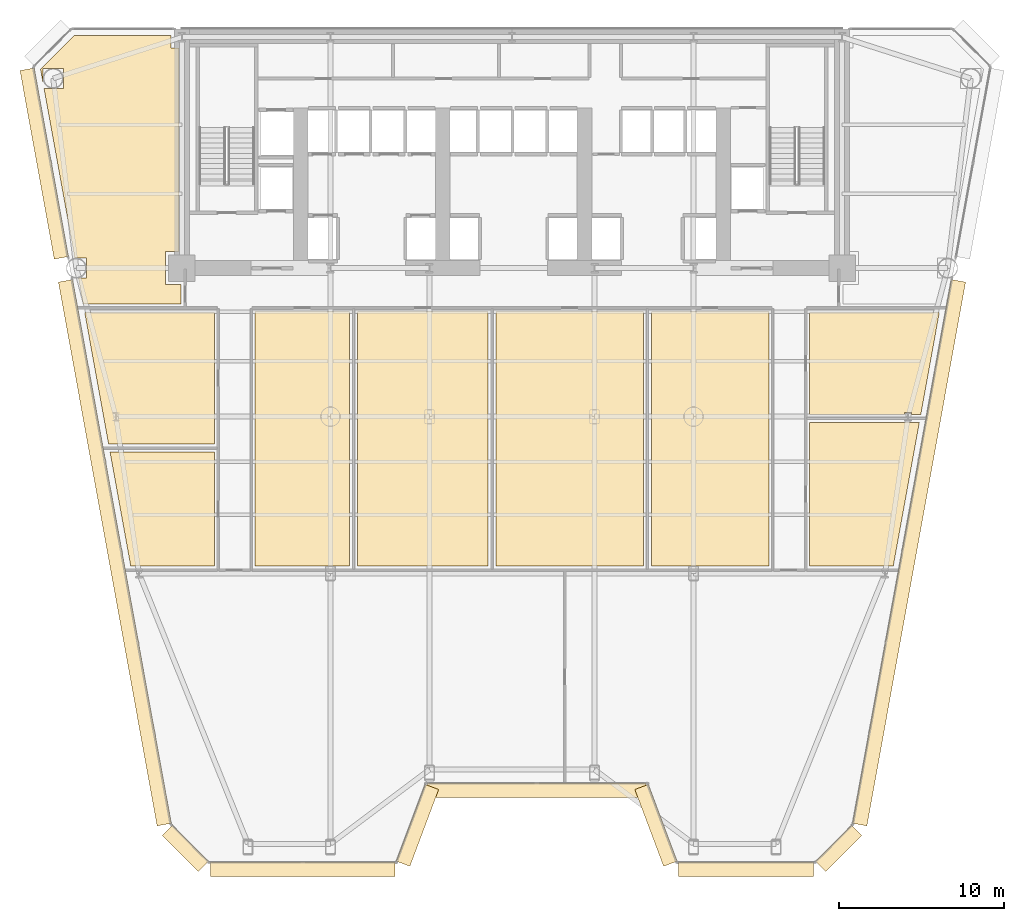
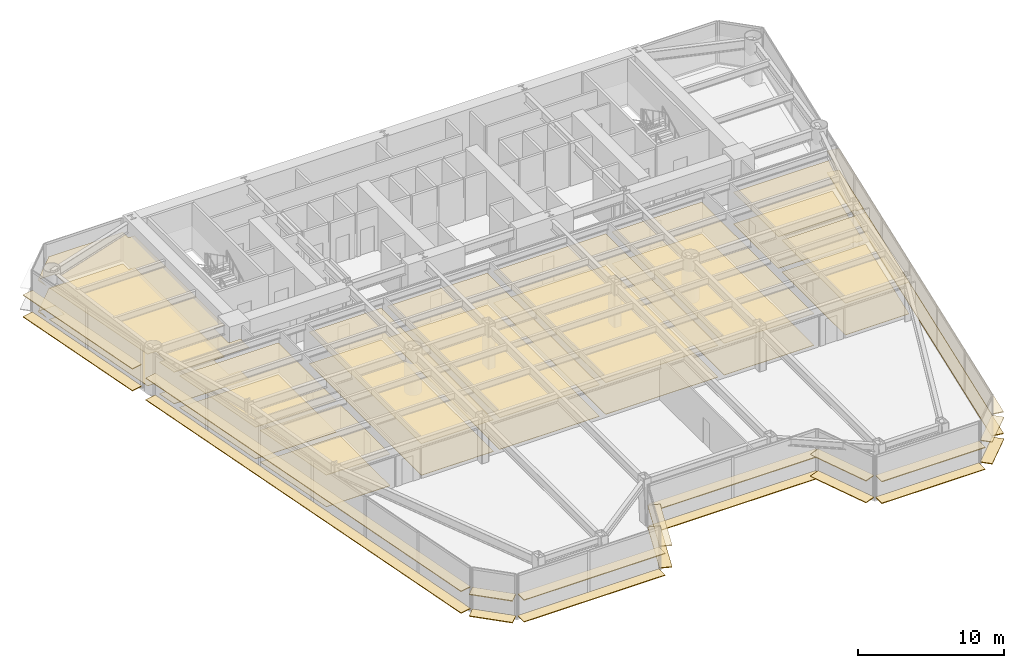
# One storey, part 11 of 14: 38 coverings.
"""IFC4 building model written with IfcOpenShell, lengths in metres."""

import ifcopenshell
import ifcopenshell.guid

model = None  # the IFC model being written
_history = None  # IfcOwnerHistory: only IFC2X3 demands one
_inside = {}  # id of a spatial element -> (the spatial element, [elements in it])
_under = {}  # id of a project, library or spatial element -> (it, [spatial elements below it])
_declared = {}  # id of a project -> (the project, [libraries it declares])
_typed = {}  # id of a type object -> (the type object, [elements of that type])
_made_of = {}  # id of a material, layer set ... -> (it, [elements and type objects made of it])


def new_model(schema):
    """Start an empty IFC model of exactly this schema.

    Asked for "IFC4X3", IfcOpenShell would pick the latest addendum, in which some entities
    have other attributes; the version numbers below select the first issue.
    IFC2X3 requires an IfcOwnerHistory on every rooted entity: one is made here for all.
    """
    global model, _history
    if schema == "IFC4X3":
        model = ifcopenshell.file(schema_version=(4, 3, 0, 0))
    else:
        model = ifcopenshell.file(schema=schema)
    _inside.clear()
    _under.clear()
    _declared.clear()
    _typed.clear()
    _made_of.clear()
    _history = None
    if model.schema == "IFC2X3":
        org = make("IfcOrganization", Name="unknown")
        user = make(
            "IfcPersonAndOrganization",
            ThePerson=make("IfcPerson", FamilyName="unknown"),
            TheOrganization=org,
        )
        app = make(
            "IfcApplication",
            ApplicationDeveloper=org,
            Version="unknown",
            ApplicationFullName="unknown",
            ApplicationIdentifier="unknown",
        )
        _history = make(
            "IfcOwnerHistory",
            OwningUser=user,
            OwningApplication=app,
            ChangeAction="ADDED",
            CreationDate=0,
        )
    return model


def make(cls, **values):
    """One entity of the class cls with the attributes given. An attribute that is None is left unset."""
    return model.create_entity(
        cls, **{name: value for name, value in values.items() if value is not None}
    )


def rooted(cls, **values):
    """An entity with a GlobalId (a new one), such as an element, a storey or a relation."""
    return make(cls, GlobalId=ifcopenshell.guid.new(), OwnerHistory=_history, **values)


def si_unit(unit_type, name, prefix=None):
    """IfcSIUnit, for example si_unit("LENGTHUNIT", "METRE", prefix="MILLI")."""
    return make("IfcSIUnit", UnitType=unit_type, Prefix=prefix, Name=name)


def assignment(units):
    """IfcUnitAssignment: the units of a project."""
    return None if units is None else make("IfcUnitAssignment", Units=units)


def point(xyz):
    """IfcCartesianPoint."""
    return None if xyz is None else make("IfcCartesianPoint", Coordinates=xyz)


def direction(xyz):
    """IfcDirection."""
    return None if xyz is None else make("IfcDirection", DirectionRatios=xyz)


def frame(location, z_axis=None, x_axis=None):
    """IfcAxis2Placement3D, a coordinate frame: its origin and axes. An axis left out is left unset."""
    return make(
        "IfcAxis2Placement3D",
        Location=point(location),
        Axis=direction(z_axis),
        RefDirection=direction(x_axis),
    )


def frame_2d(location, x_axis=None):
    """IfcAxis2Placement2D, a coordinate frame in the plane: its origin and x axis."""
    return make(
        "IfcAxis2Placement2D", Location=point(location), RefDirection=direction(x_axis)
    )


def origin():
    """The frame at (0, 0, 0) with its axes left unset."""
    return frame((0.0, 0.0, 0.0))


def origin_2d():
    """The frame at (0, 0) in the plane with its x axis left unset."""
    return frame_2d((0.0, 0.0))


def place(relative_to, where):
    """IfcLocalPlacement: puts the frame where relative to a parent placement (None: the world)."""
    return make(
        "IfcLocalPlacement", PlacementRelTo=relative_to, RelativePlacement=where
    )


def context(
    kind, dimensions, precision=None, world=None, true_north=None, identifier=None
):
    """IfcGeometricRepresentationContext, for example the 3D "Model" context."""
    return make(
        "IfcGeometricRepresentationContext",
        ContextIdentifier=identifier,
        ContextType=kind,
        CoordinateSpaceDimension=dimensions,
        Precision=precision,
        WorldCoordinateSystem=world,
        TrueNorth=true_north,
    )


def subcontext(parent, identifier, kind, view, scale=None):
    """IfcGeometricRepresentationSubContext, for example "Body" below "Model"."""
    return make(
        "IfcGeometricRepresentationSubContext",
        ContextIdentifier=identifier,
        ContextType=kind,
        ParentContext=parent,
        TargetScale=scale,
        TargetView=view,
    )


def project(units=None, contexts=None):
    """IfcProject with its units and contexts."""
    return rooted(
        "IfcProject",
        Name="project",
        RepresentationContexts=contexts,
        UnitsInContext=assignment(units),
    )


def spatial(cls, under=None, at=None, **own):
    """A site, building, storey or space (cls), placed at a placement, below another one or the project."""
    s = rooted(cls, ObjectPlacement=at, **own)
    if under is not None:
        _under.setdefault(under.id(), (under, []))[1].append(s)
    return s


def polyline(points):
    """IfcPolyline through the points."""
    return make("IfcPolyline", Points=[point(p) for p in points])


def profile(cls, at=None, kind="AREA", **sizes):
    """A parametric profile (cls). Its sizes go by their IFC names, for example OverallWidth=200.0."""
    return make(cls, ProfileType=kind, Position=at, **sizes)


def rectangle(**sizes):
    """IfcRectangleProfileDef."""
    return profile("IfcRectangleProfileDef", **sizes)


def outline(outer, holes=None, kind="AREA"):
    """IfcArbitraryClosedProfileDef: a profile drawn as a closed curve; with holes, ...WithVoids."""
    if holes is None:
        return make("IfcArbitraryClosedProfileDef", ProfileType=kind, OuterCurve=outer)
    return make(
        "IfcArbitraryProfileDefWithVoids",
        ProfileType=kind,
        OuterCurve=outer,
        InnerCurves=holes,
    )


def extrude(swept, where, along, depth):
    """IfcExtrudedAreaSolid: the profile swept, set in the frame where, extruded along a direction by depth."""
    return make(
        "IfcExtrudedAreaSolid",
        SweptArea=swept,
        Position=where,
        ExtrudedDirection=direction(along),
        Depth=depth,
    )


def shape(context_of_items, identifier, shape_type, items):
    """IfcShapeRepresentation: the items that make up one representation, for example the "Body"."""
    return make(
        "IfcShapeRepresentation",
        ContextOfItems=context_of_items,
        RepresentationIdentifier=identifier,
        RepresentationType=shape_type,
        Items=items,
    )


def source(mapping_origin, context_of_items, identifier, shape_type, items):
    """IfcRepresentationMap: a shape defined once, which mapped items show again and again."""
    return make(
        "IfcRepresentationMap",
        MappingOrigin=mapping_origin,
        MappedRepresentation=shape(context_of_items, identifier, shape_type, items),
    )


def transform(
    local_origin,
    x_axis=None,
    y_axis=None,
    z_axis=None,
    scale=None,
    scale2=None,
    scale3=None,
    uniform=True,
):
    """IfcCartesianTransformationOperator3D, or its non-uniform kind. x_axis, y_axis, z_axis: its Axis1, 2, 3."""
    if uniform:
        return make(
            "IfcCartesianTransformationOperator3D",
            Axis1=direction(x_axis),
            Axis2=direction(y_axis),
            LocalOrigin=point(local_origin),
            Scale=scale,
            Axis3=direction(z_axis),
        )
    return make(
        "IfcCartesianTransformationOperator3DnonUniform",
        Axis1=direction(x_axis),
        Axis2=direction(y_axis),
        LocalOrigin=point(local_origin),
        Scale=scale,
        Axis3=direction(z_axis),
        Scale2=scale2,
        Scale3=scale3,
    )


def mapped(mapping_source, mapping_target):
    """IfcMappedItem: shows the shape of a source again, moved by a transform."""
    return make(
        "IfcMappedItem", MappingSource=mapping_source, MappingTarget=mapping_target
    )


def material(Name=None, Category=None):
    """IfcMaterial."""
    return make("IfcMaterial", Name=Name, Category=Category)


def layer(
    of_material, thickness, ventilated=None, Name=None, Category=None, Priority=None
):
    """IfcMaterialLayer: one layer of a wall or slab, of a material (None: an air gap)."""
    return make(
        "IfcMaterialLayer",
        Material=of_material,
        LayerThickness=thickness,
        IsVentilated=ventilated,
        Name=Name,
        Category=Category,
        Priority=Priority,
    )


def layer_set(layers, Name=None):
    """IfcMaterialLayerSet."""
    return make("IfcMaterialLayerSet", MaterialLayers=layers, LayerSetName=Name)


def made_of(thing, what):
    """Note that an element or type object is made of a material, layer set ...; save() writes the relation."""
    if what is not None:
        _made_of.setdefault(what.id(), (what, []))[1].append(thing)
    return thing


def type_object(cls, material=None, **own):
    """A type object (cls), such as IfcWallType, which elements share."""
    return made_of(rooted(cls, **own), material)


def element(
    cls,
    number,
    at=None,
    inside=None,
    cuts=None,
    type_object=None,
    material=None,
    context=None,
    identifier="Body",
    shape_type=None,
    held_by="IfcProductDefinitionShape",
    body=None,
    shapes=None,
    **own,
):
    """One element of the class cls, such as IfcWall. Its Tag is "e" and its number.

    at: its placement. inside: the storey or other place that contains it. cuts: it is an
    opening in that element (IfcRelVoidsElement). A single representation is given by context,
    identifier, shape_type and body (its items); several are given by shapes. held_by: the class
    of the entity that holds the representations. save() writes the other relations.
    """
    e = rooted(cls, Tag="e%d" % number, ObjectPlacement=at, **own)
    if body is not None:
        shapes = [shape(context, identifier, shape_type, body)]
    if shapes is not None:
        e.Representation = make(held_by, Representations=shapes)
    if inside is not None:
        _inside.setdefault(inside.id(), (inside, []))[1].append(e)
    if cuts is not None:
        rooted(
            "IfcRelVoidsElement", RelatingBuildingElement=cuts, RelatedOpeningElement=e
        )
    if type_object is not None:
        _typed.setdefault(type_object.id(), (type_object, []))[1].append(e)
    return made_of(e, material)


def aggregate(whole, parts):
    """IfcRelAggregates: a whole, such as a stair, and the parts it consists of."""
    return rooted("IfcRelAggregates", RelatingObject=whole, RelatedObjects=parts)


def save(model, path):
    """Write the relations noted so far, then the file.

    IfcRelAggregates (storeys below a building ...), IfcRelContainedInSpatialStructure (elements
    in a storey), IfcRelDefinesByType, IfcRelAssociatesMaterial and IfcRelDeclares: one each for
    every whole, place, type object, material and project.
    """
    for whole, parts in _under.values():
        aggregate(whole, parts)
    for where, things in _inside.values():
        rooted(
            "IfcRelContainedInSpatialStructure",
            RelatedElements=things,
            RelatingStructure=where,
        )
    for kind, things in _typed.values():
        rooted("IfcRelDefinesByType", RelatedObjects=things, RelatingType=kind)
    for what, things in _made_of.values():
        rooted("IfcRelAssociatesMaterial", RelatedObjects=things, RelatingMaterial=what)
    for by, libraries in _declared.values():
        rooted("IfcRelDeclares", RelatingContext=by, RelatedDefinitions=libraries)
    model.write(path)


model = new_model("IFC4")

# Units and contexts
model_context = context("Model", 3, precision=1e-05, world=origin(), true_north=direction((0.0, 1.0)))
body_context = subcontext(model_context, "Body", "Model", "MODEL_VIEW")
ifc_project = project(units=[si_unit("LENGTHUNIT", "METRE"), si_unit("AREAUNIT", "SQUARE_METRE"), si_unit("VOLUMEUNIT", "CUBIC_METRE"), si_unit("PLANEANGLEUNIT", "RADIAN"), si_unit("MASSUNIT", "GRAM", prefix="KILO")], contexts=[model_context])

# Site, building, storey
site_placement = place(None, origin())
site = spatial("IfcSite", under=ifc_project, at=site_placement, CompositionType="ELEMENT")
building_placement = place(site_placement, origin())
building = spatial("IfcBuilding", under=site, at=building_placement, Name="Vaeldorn Concourse Tower", CompositionType="ELEMENT")
storey_placement = place(building_placement, frame((0.0, 0.0, 26.39990234375)))
storey = spatial("IfcBuildingStorey", under=building, at=storey_placement, Name="L06", CompositionType="ELEMENT", Elevation=26.39990234375)

# Coverings
ifc_material_1 = material(Name="Acoustic Mineral Fibre Board", Category="gypsum")
ifc_layer_1 = layer(ifc_material_1, 0.0400390625)
ifc_layer_set_1 = layer_set([ifc_layer_1], Name="Acoustic Mineral Fibre Board")
covering_type_1 = type_object("IfcCoveringType", Name="COV-CEIL-ACOUSTIC", PredefinedType="CEILING", material=ifc_layer_set_1)
covering_1_placement = place(storey_placement, frame((0.0, 0.0, 2.650146484375)))
element("IfcCovering", 1, at=covering_1_placement, inside=storey, type_object=covering_type_1, Name="Suspended Acoustic Ceiling L06-3", PredefinedType="CEILING", context=body_context, shape_type="SweptSolid", body=[
    extrude(outline(polyline([(7.4658203125, 50.60009765625), (13.340087890625, 50.60009765625), (13.340087890625, 49.840087890625), (13.820068359375, 49.840087890625), (13.820068359375, 37.5), (13.0, 37.5), (13.0, 35.5), (13.93994140625, 35.5), (13.93994140625, 34.340087890625), (8.01318359375, 34.340087890625), (7.77001953125, 35.679931640625), (7.77001953125, 35.679931640625), (7.73193359375, 35.890380859375), (8.20947265625, 35.890380859375), (8.20947265625, 37.109619140625), (7.510498046875, 37.109619140625), (5.644287109375, 47.390380859375), (6.8095703125, 47.390380859375), (6.8095703125, 48.609619140625), (5.590576171875, 48.609619140625), (5.590576171875, 47.686279296875), (5.430908203125, 48.565185546875), (7.4658203125, 50.60009765625)])), origin(), (0.0, 0.0, 1.0), 0.0400390625),
])
covering_2_placement = place(storey_placement, frame((0.0, 0.0, 2.650146484375)))
element("IfcCovering", 2, at=covering_2_placement, inside=storey, type_object=covering_type_1, Name="Suspended Acoustic Ceiling L06-5", PredefinedType="CEILING", context=body_context, shape_type="SweptSolid", body=[
    extrude(outline(polyline([(15.9599609375, 25.360107421875), (15.9599609375, 18.43994140625), (10.899658203125, 18.43994140625), (9.643310546875, 25.360107421875), (15.9599609375, 25.360107421875)])), origin(), (0.0, 0.0, 1.0), 0.0400390625),
])
covering_3_placement = place(storey_placement, frame((0.0, 0.0, 2.650146484375)))
element("IfcCovering", 3, at=covering_3_placement, inside=storey, type_object=covering_type_1, Name="Suspended Acoustic Ceiling L06-6", PredefinedType="CEILING", context=body_context, shape_type="SweptSolid", body=[
    extrude(outline(polyline([(15.9599609375, 33.800048828125), (15.9599609375, 25.840087890625), (9.556396484375, 25.840087890625), (8.111328125, 33.800048828125), (15.9599609375, 33.800048828125)])), origin(), (0.0, 0.0, 1.0), 0.0400390625),
])
covering_4_placement = place(storey_placement, frame((0.0, 0.0, 2.650146484375)))
element("IfcCovering", 4, at=covering_4_placement, inside=storey, type_object=covering_type_1, Name="Suspended Acoustic Ceiling L06-7", PredefinedType="CEILING", context=body_context, shape_type="SweptSolid", body=[
    extrude(outline(polyline([(52.0400390625, 27.159912109375), (58.683349609375, 27.159912109375), (57.100341796875, 18.43994140625), (52.0400390625, 18.43994140625), (52.0400390625, 27.159912109375)])), origin(), (0.0, 0.0, 1.0), 0.0400390625),
])
covering_5_placement = place(storey_placement, frame((0.0, 0.0, 2.650146484375)))
element("IfcCovering", 5, at=covering_5_placement, inside=storey, type_object=covering_type_1, Name="Suspended Acoustic Ceiling L06-8", PredefinedType="CEILING", context=body_context, shape_type="SweptSolid", body=[
    extrude(outline(polyline([(52.0400390625, 33.800048828125), (59.888671875, 33.800048828125), (58.7705078125, 27.639892578125), (58.220947265625, 27.639892578125), (58.220947265625, 27.765380859375), (57.779052734375, 27.765380859375), (57.779052734375, 27.639892578125), (52.0400390625, 27.639892578125), (52.0400390625, 33.800048828125)])), origin(), (0.0, 0.0, 1.0), 0.0400390625),
])
covering_6_placement = place(storey_placement, frame((0.0, 0.0, 2.650146484375)))
element("IfcCovering", 6, at=covering_6_placement, inside=storey, type_object=covering_type_1, Name="Suspended Acoustic Ceiling L06-9", PredefinedType="CEILING", context=body_context, shape_type="SweptSolid", body=[
    extrude(outline(polyline([(18.43994140625, 33.860107421875), (24.159912109375, 33.860107421875), (24.159912109375, 18.43994140625), (23.300048828125, 18.43994140625), (23.300048828125, 18.449951171875), (22.699951171875, 18.449951171875), (22.699951171875, 18.43994140625), (18.43994140625, 18.43994140625), (18.43994140625, 33.860107421875)])), origin(), (0.0, 0.0, 1.0), 0.0400390625),
])
covering_7_placement = place(storey_placement, frame((0.0, 0.0, 2.650146484375)))
element("IfcCovering", 7, at=covering_7_placement, inside=storey, type_object=covering_type_1, Name="Suspended Acoustic Ceiling L06-10", PredefinedType="CEILING", context=body_context, shape_type="SweptSolid", body=[
    extrude(outline(polyline([(24.639892578125, 33.860107421875), (32.56005859375, 33.860107421875), (32.56005859375, 18.43994140625), (24.639892578125, 18.43994140625), (24.639892578125, 33.860107421875)])), origin(), (0.0, 0.0, 1.0), 0.0400390625),
])
covering_8_placement = place(storey_placement, frame((0.0, 0.0, 2.650146484375)))
element("IfcCovering", 8, at=covering_8_placement, inside=storey, type_object=covering_type_1, Name="Suspended Acoustic Ceiling L06-11", PredefinedType="CEILING", context=body_context, shape_type="SweptSolid", body=[
    extrude(outline(polyline([(33.0400390625, 33.860107421875), (41.9599609375, 33.860107421875), (41.9599609375, 18.43994140625), (33.0400390625, 18.43994140625), (33.0400390625, 33.860107421875)])), origin(), (0.0, 0.0, 1.0), 0.0400390625),
])
covering_9_placement = place(storey_placement, frame((0.0, 0.0, 2.650146484375)))
element("IfcCovering", 9, at=covering_9_placement, inside=storey, type_object=covering_type_1, Name="Suspended Acoustic Ceiling L06-12", PredefinedType="CEILING", context=body_context, shape_type="SweptSolid", body=[
    extrude(outline(polyline([(42.43994140625, 33.860107421875), (49.56005859375, 33.860107421875), (49.56005859375, 18.43994140625), (45.300048828125, 18.43994140625), (45.300048828125, 18.449951171875), (44.699951171875, 18.449951171875), (44.699951171875, 18.43994140625), (42.43994140625, 18.43994140625), (42.43994140625, 33.860107421875)])), origin(), (0.0, 0.0, 1.0), 0.0400390625),
])
ifc_material_2 = material(Name="Honed Limestone Terrazzo Flooring", Category="masonry")
ifc_layer_2 = layer(ifc_material_2, 0.0400390625)
ifc_layer_set_2 = layer_set([ifc_layer_2], Name="Honed Limestone Terrazzo Flooring")
covering_type_2 = type_object("IfcCoveringType", Name="COV-FLOOR-STONE", PredefinedType="FLOORING", material=ifc_layer_set_2)
covering_10_placement = place(storey_placement, origin())
element("IfcCovering", 10, at=covering_10_placement, inside=storey, type_object=covering_type_2, Name="Floor Finish Covering L06-3", PredefinedType="FLOORING", context=body_context, shape_type="SweptSolid", body=[
    extrude(outline(polyline([(7.4658203125, 50.60009765625), (13.340087890625, 50.60009765625), (13.340087890625, 49.840087890625), (13.820068359375, 49.840087890625), (13.820068359375, 37.5), (13.0, 37.5), (13.0, 35.5), (13.93994140625, 35.5), (13.93994140625, 34.340087890625), (8.01318359375, 34.340087890625), (7.77001953125, 35.679931640625), (7.77001953125, 35.679931640625), (7.73193359375, 35.890380859375), (8.20947265625, 35.890380859375), (8.20947265625, 37.109619140625), (7.510498046875, 37.109619140625), (5.644287109375, 47.390380859375), (6.8095703125, 47.390380859375), (6.8095703125, 48.609619140625), (5.590576171875, 48.609619140625), (5.590576171875, 47.686279296875), (5.430908203125, 48.565185546875), (7.4658203125, 50.60009765625)])), origin(), (0.0, 0.0, 1.0), 0.030029296875),
])
covering_11_placement = place(storey_placement, origin())
element("IfcCovering", 11, at=covering_11_placement, inside=storey, type_object=covering_type_2, Name="Floor Finish Covering L06-5", PredefinedType="FLOORING", context=body_context, shape_type="SweptSolid", body=[
    extrude(outline(polyline([(15.9599609375, 25.360107421875), (15.9599609375, 18.43994140625), (10.899658203125, 18.43994140625), (9.643310546875, 25.360107421875), (15.9599609375, 25.360107421875)])), origin(), (0.0, 0.0, 1.0), 0.030029296875),
])
covering_12_placement = place(storey_placement, origin())
element("IfcCovering", 12, at=covering_12_placement, inside=storey, type_object=covering_type_2, Name="Floor Finish Covering L06-6", PredefinedType="FLOORING", context=body_context, shape_type="SweptSolid", body=[
    extrude(outline(polyline([(15.9599609375, 33.800048828125), (15.9599609375, 25.840087890625), (9.556396484375, 25.840087890625), (8.111328125, 33.800048828125), (15.9599609375, 33.800048828125)])), origin(), (0.0, 0.0, 1.0), 0.030029296875),
])
covering_13_placement = place(storey_placement, origin())
element("IfcCovering", 13, at=covering_13_placement, inside=storey, type_object=covering_type_2, Name="Floor Finish Covering L06-7", PredefinedType="FLOORING", context=body_context, shape_type="SweptSolid", body=[
    extrude(outline(polyline([(52.0400390625, 27.159912109375), (58.683349609375, 27.159912109375), (57.100341796875, 18.43994140625), (52.0400390625, 18.43994140625), (52.0400390625, 27.159912109375)])), origin(), (0.0, 0.0, 1.0), 0.030029296875),
])
covering_14_placement = place(storey_placement, origin())
element("IfcCovering", 14, at=covering_14_placement, inside=storey, type_object=covering_type_2, Name="Floor Finish Covering L06-8", PredefinedType="FLOORING", context=body_context, shape_type="SweptSolid", body=[
    extrude(outline(polyline([(52.0400390625, 33.800048828125), (59.888671875, 33.800048828125), (58.7705078125, 27.639892578125), (58.220947265625, 27.639892578125), (58.220947265625, 27.765380859375), (57.779052734375, 27.765380859375), (57.779052734375, 27.639892578125), (52.0400390625, 27.639892578125), (52.0400390625, 33.800048828125)])), origin(), (0.0, 0.0, 1.0), 0.030029296875),
])
covering_15_placement = place(storey_placement, origin())
element("IfcCovering", 15, at=covering_15_placement, inside=storey, type_object=covering_type_2, Name="Floor Finish Covering L06-9", PredefinedType="FLOORING", context=body_context, shape_type="SweptSolid", body=[
    extrude(outline(polyline([(18.43994140625, 33.860107421875), (24.159912109375, 33.860107421875), (24.159912109375, 18.43994140625), (23.300048828125, 18.43994140625), (23.300048828125, 18.449951171875), (22.699951171875, 18.449951171875), (22.699951171875, 18.43994140625), (18.43994140625, 18.43994140625), (18.43994140625, 33.860107421875)])), origin(), (0.0, 0.0, 1.0), 0.030029296875),
])
covering_16_placement = place(storey_placement, origin())
element("IfcCovering", 16, at=covering_16_placement, inside=storey, type_object=covering_type_2, Name="Floor Finish Covering L06-10", PredefinedType="FLOORING", context=body_context, shape_type="SweptSolid", body=[
    extrude(outline(polyline([(24.639892578125, 33.860107421875), (32.56005859375, 33.860107421875), (32.56005859375, 18.43994140625), (24.639892578125, 18.43994140625), (24.639892578125, 33.860107421875)])), origin(), (0.0, 0.0, 1.0), 0.030029296875),
])
covering_17_placement = place(storey_placement, origin())
element("IfcCovering", 17, at=covering_17_placement, inside=storey, type_object=covering_type_2, Name="Floor Finish Covering L06-11", PredefinedType="FLOORING", context=body_context, shape_type="SweptSolid", body=[
    extrude(outline(polyline([(33.0400390625, 33.860107421875), (41.9599609375, 33.860107421875), (41.9599609375, 18.43994140625), (33.0400390625, 18.43994140625), (33.0400390625, 33.860107421875)])), origin(), (0.0, 0.0, 1.0), 0.030029296875),
])
covering_18_placement = place(storey_placement, origin())
element("IfcCovering", 18, at=covering_18_placement, inside=storey, type_object=covering_type_2, Name="Floor Finish Covering L06-12", PredefinedType="FLOORING", context=body_context, shape_type="SweptSolid", body=[
    extrude(outline(polyline([(42.43994140625, 33.860107421875), (49.56005859375, 33.860107421875), (49.56005859375, 18.43994140625), (45.300048828125, 18.43994140625), (45.300048828125, 18.449951171875), (44.699951171875, 18.449951171875), (44.699951171875, 18.43994140625), (42.43994140625, 18.43994140625), (42.43994140625, 33.860107421875)])), origin(), (0.0, 0.0, 1.0), 0.030029296875),
])
ifc_material_3 = material(Name="Anodised Bronze Aluminium", Category="aluminium")
ifc_layer_3 = layer(ifc_material_3, 0.06494140625)
ifc_layer_set_3 = layer_set([ifc_layer_3], Name="Anodised Bronze Aluminium")
covering_type_3 = type_object("IfcCoveringType", Name="SD-BRONZE-SUNSHADE", PredefinedType="USERDEFINED", material=ifc_layer_set_3)
shared_shape_1 = source(origin(), body_context, "Body", "SweptSolid", [
    extrude(rectangle(XDim=4.96630859375, YDim=0.8798828125, at=origin_2d()), origin(), (0.0, 0.0, 1.0), 0.06494140625),
])
for number, where, z_axis, x_axis, name in (
    (19, (28.2744140625, 2.73779296875, 0.047607421875), (0.0, 0.0, 1.0), (0.351122702609, 0.936329454686, 0.0), "Horizontal Bronze Sunshade L06-E02.1.1"),
    (20, (28.2744140625, 2.73779296875, 1.86767578125), (0.0, 0.0, 1.0), (0.351122702609, 0.936329454686, 0.0), "Horizontal Bronze Sunshade L06-E02.1.2"),
    (21, (42.7255859375, 2.73779296875, 0.047607421875), (0.0, 0.0, 1.0), (0.351122702609, -0.936329454686, 0.0), "Horizontal Bronze Sunshade L06-E04.1.1"),
    (22, (42.7255859375, 2.73779296875, 1.86767578125), (0.0, 0.0, 1.0), (0.351122702609, -0.936329454686, 0.0), "Horizontal Bronze Sunshade L06-E04.1.2"),
):
    element("IfcCovering", number, at=place(storey_placement, frame(where, z_axis=z_axis, x_axis=x_axis)), inside=storey, type_object=covering_type_3, Name=name, ObjectType="SUNSHADE", PredefinedType="USERDEFINED", context=body_context, shape_type="MappedRepresentation", body=[
        mapped(shared_shape_1, transform((0.0, 0.0, 0.0), scale=1.0)),
    ])
shared_shape_2 = source(origin(), body_context, "Body", "SweptSolid", [
    extrude(rectangle(XDim=13.239990234375, YDim=0.8798828125, at=origin_2d()), origin(), (0.0, 0.0, 1.0), 0.06494140625),
])
for number, where, z_axis, x_axis, name in (
    (23, (35.5, 4.878173828125, 0.047607421875), (0.0, 0.0, 1.0), (1.0, 0.0, 0.0), "Horizontal Bronze Sunshade L06-E03.1.1"),
    (24, (35.5, 4.878173828125, 1.86767578125), (0.0, 0.0, 1.0), (1.0, 0.0, 0.0), "Horizontal Bronze Sunshade L06-E03.1.2"),
):
    element("IfcCovering", number, at=place(storey_placement, frame(where, z_axis=z_axis, x_axis=x_axis)), inside=storey, type_object=covering_type_3, Name=name, ObjectType="SUNSHADE", PredefinedType="USERDEFINED", context=body_context, shape_type="MappedRepresentation", body=[
        mapped(shared_shape_2, transform((0.0, 0.0, 0.0), scale=1.0)),
    ])
shared_shape_3 = source(origin(), body_context, "Body", "SweptSolid", [
    extrude(rectangle(XDim=3.0927734375, YDim=0.8798828125, at=origin_2d()), origin(), (0.0, 0.0, 1.0), 0.06494140625),
])
for number, where, z_axis, x_axis, name in (
    (25, (53.796630859375, 1.345458984375, 0.047607421875), (0.0, 0.0, 1.0), (0.707106781187, 0.707106781187, 0.0), "Horizontal Bronze Sunshade L06-E06.1.1"),
    (26, (53.796630859375, 1.345458984375, 1.86767578125), (0.0, 0.0, 1.0), (0.707106781187, 0.707106781187, 0.0), "Horizontal Bronze Sunshade L06-E06.1.2"),
    (27, (14.203369140625, 1.345458984375, 0.047607421875), (0.0, 0.0, 1.0), (0.707106781187, -0.707106781187, 0.0), "Horizontal Bronze Sunshade L06-E12.1.1"),
    (28, (14.203369140625, 1.345458984375, 1.86767578125), (0.0, 0.0, 1.0), (0.707106781187, -0.707106781187, 0.0), "Horizontal Bronze Sunshade L06-E12.1.2"),
):
    element("IfcCovering", number, at=place(storey_placement, frame(where, z_axis=z_axis, x_axis=x_axis)), inside=storey, type_object=covering_type_3, Name=name, ObjectType="SUNSHADE", PredefinedType="USERDEFINED", context=body_context, shape_type="MappedRepresentation", body=[
        mapped(shared_shape_3, transform((0.0, 0.0, 0.0), scale=1.0)),
    ])
shared_shape_4 = source(origin(), body_context, "Body", "SweptSolid", [
    extrude(rectangle(XDim=11.203857421875, YDim=0.8798828125, at=origin_2d()), origin(), (0.0, 0.0, 1.0), 0.06494140625),
])
for number, where, z_axis, x_axis, name in (
    (29, (21.318115234375, 0.078125, 0.047607421875), (0.0, 0.0, 1.0), (1.0, 0.0, 0.0), "Horizontal Bronze Sunshade L06-E01.1.1"),
    (30, (21.318115234375, 0.078125, 1.86767578125), (0.0, 0.0, 1.0), (1.0, 0.0, 0.0), "Horizontal Bronze Sunshade L06-E01.1.2"),
):
    element("IfcCovering", number, at=place(storey_placement, frame(where, z_axis=z_axis, x_axis=x_axis)), inside=storey, type_object=covering_type_3, Name=name, ObjectType="SUNSHADE", PredefinedType="USERDEFINED", context=body_context, shape_type="MappedRepresentation", body=[
        mapped(shared_shape_4, transform((0.0, 0.0, 0.0), scale=1.0)),
    ])
shared_shape_5 = source(origin(), body_context, "Body", "SweptSolid", [
    extrude(rectangle(XDim=8.203857421875, YDim=0.8798828125, at=origin_2d()), origin(), (0.0, 0.0, 1.0), 0.06494140625),
])
for number, where, z_axis, x_axis, name in (
    (31, (48.181884765625, 0.078125, 0.047607421875), (0.0, 0.0, 1.0), (1.0, 0.0, 0.0), "Horizontal Bronze Sunshade L06-E05.1.1"),
    (32, (48.181884765625, 0.078125, 1.86767578125), (0.0, 0.0, 1.0), (1.0, 0.0, 0.0), "Horizontal Bronze Sunshade L06-E05.1.2"),
):
    element("IfcCovering", number, at=place(storey_placement, frame(where, z_axis=z_axis, x_axis=x_axis)), inside=storey, type_object=covering_type_3, Name=name, ObjectType="SUNSHADE", PredefinedType="USERDEFINED", context=body_context, shape_type="MappedRepresentation", body=[
        mapped(shared_shape_5, transform((0.0, 0.0, 0.0), scale=1.0)),
    ])
shared_shape_6 = source(origin(), body_context, "Body", "SweptSolid", [
    extrude(rectangle(XDim=33.4833984375, YDim=0.8798828125, at=origin_2d()), origin(), (0.0, 0.0, 1.0), 0.06494140625),
])
for number, where, z_axis, x_axis, name in (
    (33, (58.06201171875, 19.2578125, 0.047607421875), (0.0, 0.0, 1.0), (0.178613319455, 0.983919347362, 0.0), "Horizontal Bronze Sunshade L06-E07.1.1"),
    (34, (58.06201171875, 19.2578125, 1.86767578125), (0.0, 0.0, 1.0), (0.178613319455, 0.983919347362, 0.0), "Horizontal Bronze Sunshade L06-E07.1.2"),
    (35, (9.93798828125, 19.2578125, 0.047607421875), (0.0, 0.0, 1.0), (0.178613319455, -0.983919347362, 0.0), "Horizontal Bronze Sunshade L06-E11.2.1"),
    (36, (9.93798828125, 19.2578125, 1.86767578125), (0.0, 0.0, 1.0), (0.178613319455, -0.983919347362, 0.0), "Horizontal Bronze Sunshade L06-E11.2.2"),
):
    element("IfcCovering", number, at=place(storey_placement, frame(where, z_axis=z_axis, x_axis=x_axis)), inside=storey, type_object=covering_type_3, Name=name, ObjectType="SUNSHADE", PredefinedType="USERDEFINED", context=body_context, shape_type="MappedRepresentation", body=[
        mapped(shared_shape_6, transform((0.0, 0.0, 0.0), scale=1.0)),
    ])
shared_shape_7 = source(origin(), body_context, "Body", "SweptSolid", [
    extrude(rectangle(XDim=11.60986328125, YDim=0.8798828125, at=origin_2d()), origin(), (0.0, 0.0, 1.0), 0.06494140625),
])
for number, where, z_axis, x_axis, name in (
    (37, (5.657470703125, 42.83837890625, 0.047607421875), (0.0, 0.0, 1.0), (0.178613319455, -0.983919347362, 0.0), "Horizontal Bronze Sunshade L06-E11.1.1"),
    (38, (5.657470703125, 42.83837890625, 1.86767578125), (0.0, 0.0, 1.0), (0.178613319455, -0.983919347362, 0.0), "Horizontal Bronze Sunshade L06-E11.1.2"),
):
    element("IfcCovering", number, at=place(storey_placement, frame(where, z_axis=z_axis, x_axis=x_axis)), inside=storey, type_object=covering_type_3, Name=name, ObjectType="SUNSHADE", PredefinedType="USERDEFINED", context=body_context, shape_type="MappedRepresentation", body=[
        mapped(shared_shape_7, transform((0.0, 0.0, 0.0), scale=1.0)),
    ])

save(model, "model.ifc")
